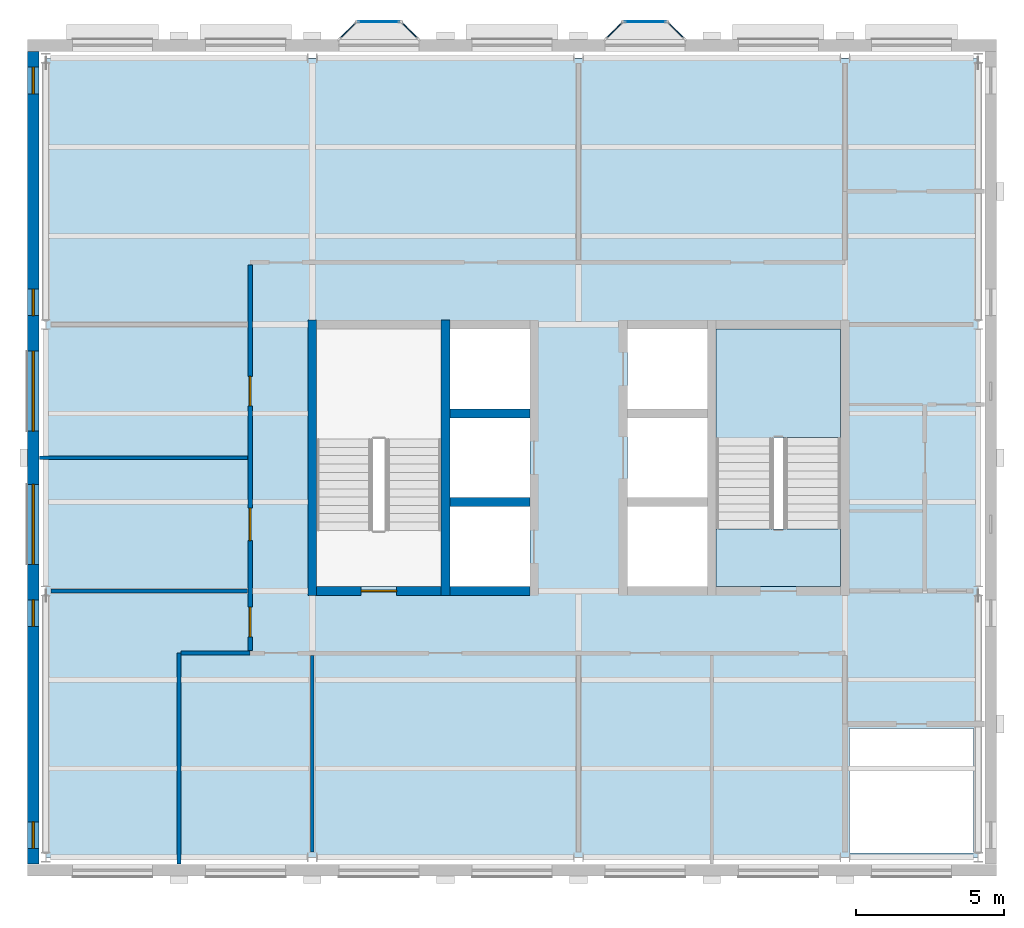
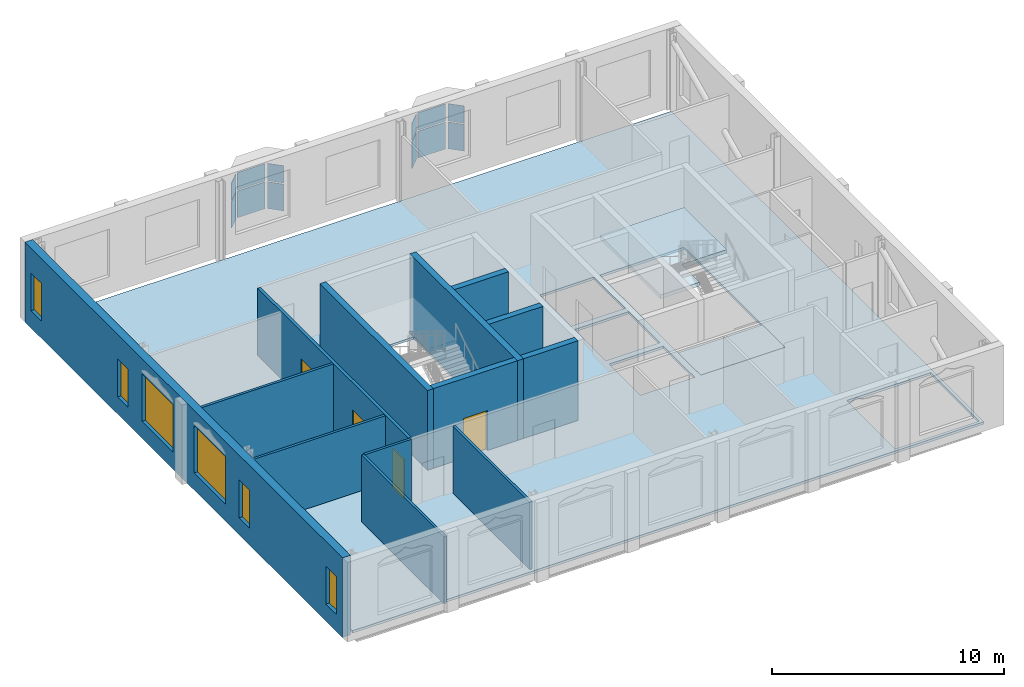
# One storey, part 3 of 9: 13 walls, 12 plates, 6 windows, 4 doors, 3 slabs, 10 openings, 7 elements without a shape of their own.
"""IFC4 building model written with IfcOpenShell, lengths in metres."""

from ifc_helpers import new_model, si_unit, direction, frame, frame_2d, origin, origin_2d, place, context, subcontext, project, spatial, polyline, rectangle, outline, extrude, material, layer, layer_set, type_object, element, fill, aggregate, save


model = new_model("IFC4")

# Units and contexts
model_context = context("Model", 3, precision=1e-05, world=origin(), true_north=direction((0.0, 1.0)))
body_context = subcontext(model_context, "Body", "Model", "MODEL_VIEW")
ifc_project = project(units=[si_unit("LENGTHUNIT", "METRE"), si_unit("AREAUNIT", "SQUARE_METRE"), si_unit("VOLUMEUNIT", "CUBIC_METRE"), si_unit("PLANEANGLEUNIT", "RADIAN"), si_unit("MASSUNIT", "GRAM", prefix="KILO")], contexts=[model_context])

# Site, building, storey
site_placement = place(None, origin())
site = spatial("IfcSite", under=ifc_project, at=site_placement, CompositionType="ELEMENT")
building_placement = place(site_placement, origin())
building = spatial("IfcBuilding", under=site, at=building_placement, Name="Hortulan Conservatory and Botanical Research Centre", CompositionType="ELEMENT")
storey_placement = place(building_placement, frame((0.0, 0.0, 40.199951171875)))
storey = spatial("IfcBuildingStorey", under=building, at=storey_placement, Name="L09", CompositionType="ELEMENT", Elevation=40.199951171875)

# Slab
ifc_material_1 = material(Name="Concrete N32 (32 MPa, AS 3600)", Category="concrete")
ifc_layer_1 = layer(ifc_material_1, 0.1298828125)
ifc_layer_set_1 = layer_set([ifc_layer_1], Name="Composite Floor Slab 130")
slab_type_1 = type_object("IfcSlabType", Name="Composite Floor Slab 130", PredefinedType="FLOOR", material=ifc_layer_set_1)
slab_1_placement = place(storey_placement, frame((0.0, 0.0, -0.1298828125)))
element("IfcSlab", 1, at=slab_1_placement, inside=storey, type_object=slab_type_1, Name="Floor slab", PredefinedType="FLOOR", context=body_context, shape_type="SweptSolid", body=[
    extrude(outline(polyline([(0.0, 0.0), (31.5, 0.0), (31.5, 27.0), (0.0, 27.0), (0.0, 0.0)]), holes=[polyline([(27.14990234375, 4.35009765625), (27.14990234375, 0.14990234375), (31.35009765625, 0.14990234375), (31.35009765625, 4.35009765625), (27.14990234375, 4.35009765625)]), polyline([(13.64990234375, 11.85009765625), (13.64990234375, 9.14990234375), (16.35009765625, 9.14990234375), (16.35009765625, 11.85009765625), (13.64990234375, 11.85009765625)]), polyline([(19.64990234375, 11.85009765625), (19.64990234375, 9.14990234375), (22.35009765625, 9.14990234375), (22.35009765625, 11.85009765625), (19.64990234375, 11.85009765625)]), polyline([(9.14990234375, 17.85009765625), (9.14990234375, 9.14990234375), (13.35009765625, 9.14990234375), (13.35009765625, 17.85009765625), (9.14990234375, 17.85009765625)]), polyline([(13.64990234375, 14.85009765625), (13.64990234375, 12.14990234375), (16.35009765625, 12.14990234375), (16.35009765625, 14.85009765625), (13.64990234375, 14.85009765625)]), polyline([(19.64990234375, 14.85009765625), (19.64990234375, 12.14990234375), (22.35009765625, 12.14990234375), (22.35009765625, 14.85009765625), (19.64990234375, 14.85009765625)]), polyline([(22.64990234375, 17.85009765625), (22.64990234375, 9.14990234375), (26.85009765625, 9.14990234375), (26.85009765625, 17.85009765625), (22.64990234375, 17.85009765625)]), polyline([(16.35009765625, 17.85009765625), (13.64990234375, 17.85009765625), (13.64990234375, 15.14990234375), (16.35009765625, 15.14990234375), (16.35009765625, 17.85009765625)]), polyline([(22.35009765625, 17.85009765625), (19.64990234375, 17.85009765625), (19.64990234375, 15.14990234375), (22.35009765625, 15.14990234375), (22.35009765625, 17.85009765625)])]), origin(), (0.0, 0.0, 1.0), 0.1298828125),
])

# Curtain wall, plates
ifc_material_2 = material(Name="Bronze-finished aluminium", Category="aluminium")
ifc_layer_2 = layer(ifc_material_2, 0.10009765625)
ifc_layer_set_2 = layer_set([ifc_layer_2], Name="Oriel Curtain Wall 1350 module")
curtain_wall_type = type_object("IfcCurtainWallType", Name="Oriel Curtain Wall 1350 module", PredefinedType="NOTDEFINED", material=ifc_layer_set_2)
curtain_wall_1_placement = place(storey_placement, origin())
curtain_wall_1 = element("IfcCurtainWall", 2, at=curtain_wall_1_placement, inside=storey, type_object=curtain_wall_type, Name="Oriel glazing", PredefinedType="NOTDEFINED")
ifc_material_3 = material(Name="Low-e laminated glass", Category="glass")
ifc_layer_3 = layer(ifc_material_3, 0.028076171875)
ifc_layer_set_3 = layer_set([ifc_layer_3], Name="Laminated Glass Panel 28")
plate_type = type_object("IfcPlateType", Name="Laminated Glass Panel 28", PredefinedType="CURTAIN_PANEL", material=ifc_layer_set_3)
plate_1_placement = place(storey_placement, frame((10.199951171875, 27.93603515625, 0.9599609375), z_axis=(0.0, 0.0, 1.0), x_axis=(0.707106781187, 0.707106781187, 0.0)))
plate_1 = element("IfcPlate", 3, at=plate_1_placement, type_object=plate_type, Name="CW2 panel 1.1", PredefinedType="CURTAIN_PANEL", context=body_context, shape_type="SweptSolid", body=[
    extrude(rectangle(XDim=0.728515625, YDim=0.028076171875, at=origin_2d()), origin(), (0.0, 0.0, 1.0), 1.409912109375),
])
plate_2_placement = place(storey_placement, frame((10.199951171875, 27.93603515625, 2.43017578125), z_axis=(0.0, 0.0, 1.0), x_axis=(0.707106781187, 0.707106781187, 0.0)))
plate_2 = element("IfcPlate", 4, at=plate_2_placement, type_object=plate_type, Name="CW2 panel 1.2", PredefinedType="CURTAIN_PANEL", context=body_context, shape_type="SweptSolid", body=[
    extrude(rectangle(XDim=0.728515625, YDim=0.028076171875, at=origin_2d()), origin(), (0.0, 0.0, 1.0), 0.909912109375),
])
aggregate(curtain_wall_1, [plate_1, plate_2])

curtain_wall_2_placement = place(storey_placement, origin())
curtain_wall_2 = element("IfcCurtainWall", 5, at=curtain_wall_2_placement, inside=storey, type_object=curtain_wall_type, Name="Oriel glazing", PredefinedType="NOTDEFINED")
plate_3_placement = place(storey_placement, frame((11.25, 28.236083984375, 0.9599609375), z_axis=(0.0, 0.0, 1.0), x_axis=(1.0, 0.0, 0.0)))
plate_3 = element("IfcPlate", 6, at=plate_3_placement, type_object=plate_type, Name="CW2 panel 1.1", PredefinedType="CURTAIN_PANEL", context=body_context, shape_type="SweptSolid", body=[
    extrude(rectangle(XDim=1.3798828125, YDim=0.028076171875, at=origin_2d()), origin(), (0.0, 0.0, 1.0), 1.409912109375),
])
plate_4_placement = place(storey_placement, frame((11.25, 28.236083984375, 2.43017578125), z_axis=(0.0, 0.0, 1.0), x_axis=(1.0, 0.0, 0.0)))
plate_4 = element("IfcPlate", 7, at=plate_4_placement, type_object=plate_type, Name="CW2 panel 1.2", PredefinedType="CURTAIN_PANEL", context=body_context, shape_type="SweptSolid", body=[
    extrude(rectangle(XDim=1.3798828125, YDim=0.028076171875, at=origin_2d()), origin(), (0.0, 0.0, 1.0), 0.909912109375),
])
aggregate(curtain_wall_2, [plate_3, plate_4])

curtain_wall_3_placement = place(storey_placement, origin())
curtain_wall_3 = element("IfcCurtainWall", 8, at=curtain_wall_3_placement, inside=storey, type_object=curtain_wall_type, Name="Oriel glazing", PredefinedType="NOTDEFINED")
plate_5_placement = place(storey_placement, frame((12.300048828125, 27.93603515625, 0.9599609375), z_axis=(0.0, 0.0, 1.0), x_axis=(0.707106781187, -0.707106781187, 0.0)))
plate_5 = element("IfcPlate", 9, at=plate_5_placement, type_object=plate_type, Name="CW2 panel 1.1", PredefinedType="CURTAIN_PANEL", context=body_context, shape_type="SweptSolid", body=[
    extrude(rectangle(XDim=0.728515625, YDim=0.028076171875, at=origin_2d()), origin(), (0.0, 0.0, 1.0), 1.409912109375),
])
plate_6_placement = place(storey_placement, frame((12.300048828125, 27.93603515625, 2.43017578125), z_axis=(0.0, 0.0, 1.0), x_axis=(0.707106781187, -0.707106781187, 0.0)))
plate_6 = element("IfcPlate", 10, at=plate_6_placement, type_object=plate_type, Name="CW2 panel 1.2", PredefinedType="CURTAIN_PANEL", context=body_context, shape_type="SweptSolid", body=[
    extrude(rectangle(XDim=0.728515625, YDim=0.028076171875, at=origin_2d()), origin(), (0.0, 0.0, 1.0), 0.909912109375),
])
aggregate(curtain_wall_3, [plate_5, plate_6])

curtain_wall_4_placement = place(storey_placement, origin())
curtain_wall_4 = element("IfcCurtainWall", 11, at=curtain_wall_4_placement, inside=storey, type_object=curtain_wall_type, Name="Oriel glazing", PredefinedType="NOTDEFINED")
plate_7_placement = place(storey_placement, frame((19.199951171875, 27.93603515625, 0.9599609375), z_axis=(0.0, 0.0, 1.0), x_axis=(0.707106781187, 0.707106781187, 0.0)))
plate_7 = element("IfcPlate", 12, at=plate_7_placement, type_object=plate_type, Name="CW2 panel 1.1", PredefinedType="CURTAIN_PANEL", context=body_context, shape_type="SweptSolid", body=[
    extrude(rectangle(XDim=0.728515625, YDim=0.028076171875, at=origin_2d()), origin(), (0.0, 0.0, 1.0), 1.409912109375),
])
plate_8_placement = place(storey_placement, frame((19.199951171875, 27.93603515625, 2.43017578125), z_axis=(0.0, 0.0, 1.0), x_axis=(0.707106781187, 0.707106781187, 0.0)))
plate_8 = element("IfcPlate", 13, at=plate_8_placement, type_object=plate_type, Name="CW2 panel 1.2", PredefinedType="CURTAIN_PANEL", context=body_context, shape_type="SweptSolid", body=[
    extrude(rectangle(XDim=0.728515625, YDim=0.028076171875, at=origin_2d()), origin(), (0.0, 0.0, 1.0), 0.909912109375),
])
aggregate(curtain_wall_4, [plate_7, plate_8])

curtain_wall_5_placement = place(storey_placement, origin())
curtain_wall_5 = element("IfcCurtainWall", 14, at=curtain_wall_5_placement, inside=storey, type_object=curtain_wall_type, Name="Oriel glazing", PredefinedType="NOTDEFINED")
plate_9_placement = place(storey_placement, frame((20.25, 28.236083984375, 0.9599609375), z_axis=(0.0, 0.0, 1.0), x_axis=(1.0, 0.0, 0.0)))
plate_9 = element("IfcPlate", 15, at=plate_9_placement, type_object=plate_type, Name="CW2 panel 1.1", PredefinedType="CURTAIN_PANEL", context=body_context, shape_type="SweptSolid", body=[
    extrude(rectangle(XDim=1.3798828125, YDim=0.028076171875, at=origin_2d()), origin(), (0.0, 0.0, 1.0), 1.409912109375),
])
plate_10_placement = place(storey_placement, frame((20.25, 28.236083984375, 2.43017578125), z_axis=(0.0, 0.0, 1.0), x_axis=(1.0, 0.0, 0.0)))
plate_10 = element("IfcPlate", 16, at=plate_10_placement, type_object=plate_type, Name="CW2 panel 1.2", PredefinedType="CURTAIN_PANEL", context=body_context, shape_type="SweptSolid", body=[
    extrude(rectangle(XDim=1.3798828125, YDim=0.028076171875, at=origin_2d()), origin(), (0.0, 0.0, 1.0), 0.909912109375),
])
aggregate(curtain_wall_5, [plate_9, plate_10])

curtain_wall_6_placement = place(storey_placement, origin())
curtain_wall_6 = element("IfcCurtainWall", 17, at=curtain_wall_6_placement, inside=storey, type_object=curtain_wall_type, Name="Oriel glazing", PredefinedType="NOTDEFINED")
plate_11_placement = place(storey_placement, frame((21.300048828125, 27.93603515625, 0.9599609375), z_axis=(0.0, 0.0, 1.0), x_axis=(0.707106781187, -0.707106781187, 0.0)))
plate_11 = element("IfcPlate", 18, at=plate_11_placement, type_object=plate_type, Name="CW2 panel 1.1", PredefinedType="CURTAIN_PANEL", context=body_context, shape_type="SweptSolid", body=[
    extrude(rectangle(XDim=0.728515625, YDim=0.028076171875, at=origin_2d()), origin(), (0.0, 0.0, 1.0), 1.409912109375),
])
plate_12_placement = place(storey_placement, frame((21.300048828125, 27.93603515625, 2.43017578125), z_axis=(0.0, 0.0, 1.0), x_axis=(0.707106781187, -0.707106781187, 0.0)))
plate_12 = element("IfcPlate", 19, at=plate_12_placement, type_object=plate_type, Name="CW2 panel 1.2", PredefinedType="CURTAIN_PANEL", context=body_context, shape_type="SweptSolid", body=[
    extrude(rectangle(XDim=0.728515625, YDim=0.028076171875, at=origin_2d()), origin(), (0.0, 0.0, 1.0), 0.909912109375),
])
aggregate(curtain_wall_6, [plate_11, plate_12])

# Stair, slab
ifc_material_4 = material(Name="Concrete N40 (40 MPa, AS 3600)", Category="concrete")
stair_type = type_object("IfcStairType", Name="Concrete Escape Stair 1950", PredefinedType="HALF_TURN_STAIR", material=ifc_material_4)
stair_placement = place(storey_placement, origin())
stair = element("IfcStair", 20, at=stair_placement, inside=storey, type_object=stair_type, Name="Stair T2 L09", PredefinedType="HALF_TURN_STAIR")
ifc_layer_4 = layer(ifc_material_4, 0.199951171875)
ifc_layer_set_4 = layer_set([ifc_layer_4], Name="Stair Landing 200")
slab_type_2 = type_object("IfcSlabType", Name="Stair Landing 200", PredefinedType="LANDING", material=ifc_layer_set_4)
slab_2_placement = place(storey_placement, frame((0.0, 0.0, 1.900146484375)))
slab_2 = element("IfcSlab", 21, at=slab_2_placement, type_object=slab_type_2, Name="Stair T2 L09 half landing 1", PredefinedType="LANDING", context=body_context, shape_type="SweptSolid", body=[
    extrude(outline(polyline([(26.85009765625, 14.179443359375), (24.60009765625, 14.179443359375), (24.60009765625, 12.639892578125), (22.64990234375, 12.639892578125), (22.64990234375, 14.179443359375), (22.64990234375, 14.179931640625), (22.64990234375, 14.18994140625), (22.64990234375, 17.85009765625), (26.85009765625, 17.85009765625), (26.85009765625, 14.18994140625), (26.85009765625, 14.179931640625), (26.85009765625, 14.179443359375)])), origin(), (0.0, 0.0, 1.0), 0.199951171875),
])
aggregate(stair, [slab_2])

# Slab
slab_3_placement = place(storey_placement, frame((0.0, 0.0, -0.199951171875)))
element("IfcSlab", 22, at=slab_3_placement, inside=storey, type_object=slab_type_2, Name="Stair T2 floor landing L09", PredefinedType="LANDING", context=body_context, shape_type="SweptSolid", body=[
    extrude(outline(polyline([(26.85009765625, 9.14990234375), (22.64990234375, 9.14990234375), (22.64990234375, 11.10009765625), (26.85009765625, 11.10009765625), (26.85009765625, 9.14990234375)])), origin(), (0.0, 0.0, 1.0), 0.199951171875),
])

# Walls
ifc_layer_5 = layer(ifc_material_4, 0.300048828125)
ifc_layer_set_5 = layer_set([ifc_layer_5], Name="Core Wall 300 N40 FRL 240/120/120")
wall_type_1 = type_object("IfcWallType", Name="Core Wall 300 N40 FRL 240/120/120", PredefinedType="SHEAR", material=ifc_layer_set_5)
for number, where, z_axis, x_axis, name in (
    (23, (9.0, 8.85009765625, 0.0), (0.0, 0.0, 1.0), (0.0, 1.0, 0.0), "Reinforced concrete shaft wall"),
    (24, (13.5, 8.85009765625, 0.0), (0.0, 0.0, 1.0), (0.0, 1.0, 0.0), "Reinforced concrete shaft wall"),
):
    element("IfcWall", number, at=place(storey_placement, frame(where, z_axis=z_axis, x_axis=x_axis)), inside=storey, type_object=wall_type_1, Name=name, PredefinedType="SHEAR", context=body_context, shape_type="SweptSolid", body=[
        extrude(rectangle(XDim=9.2998046875, YDim=0.300048828125, at=frame_2d((4.64990234375, 0.0))), origin(), (0.0, 0.0, 1.0), 4.199951171875),
    ])

# Wall, opening, door
wall_1_placement = place(storey_placement, frame((9.14990234375, 9.0, 0.0), z_axis=(0.0, 0.0, 1.0), x_axis=(1.0, 0.0, 0.0)))
wall_1 = element("IfcWall", 25, at=wall_1_placement, inside=storey, type_object=wall_type_1, Name="Reinforced concrete shaft wall", PredefinedType="SHEAR", context=body_context, shape_type="SweptSolid", body=[
    extrude(rectangle(XDim=4.2001953125, YDim=0.300048828125, at=frame_2d((2.10009765625, 0.0))), origin(), (0.0, 0.0, 1.0), 4.199951171875),
])
opening_1_placement = place(wall_1_placement, frame((1.5, 0.0, 0.0)))
opening_1 = element("IfcOpeningElement", 26, at=opening_1_placement, cuts=wall_1, Name="Opening DT5", PredefinedType="OPENING", context=body_context, shape_type="SweptSolid", body=[
    extrude(rectangle(XDim=1.199951171875, YDim=2.10009765625, at=frame_2d((0.60009765625, 1.050048828125))), frame((0.0, 0.159912109375, 0.0), z_axis=(0.0, -1.0, 0.0), x_axis=(1.0, 0.0, 0.0)), (0.0, 0.0, 1.0), 0.320068359375),
])
ifc_material_5 = material(Name="Steel door leaf, insulated", Category="steel")
door_type_1 = type_object("IfcDoorType", Name="Stair Door 1200x2100 FRL -/120/30", OperationType="NOTDEFINED", PredefinedType="DOOR", material=ifc_material_5)
door_1_placement = place(opening_1_placement, origin())
door_1 = element("IfcDoor", 27, at=door_1_placement, inside=storey, type_object=door_type_1, Name="Door DT5 Exit Stair T1", OperationType="SINGLE_SWING_RIGHT", OverallHeight=2.10009765625, OverallWidth=1.199951171875, PredefinedType="DOOR", context=body_context, shape_type="SweptSolid", body=[
    extrude(rectangle(XDim=1.199951171875, YDim=2.10009765625, at=frame_2d((0.60009765625, 1.050048828125))), frame((0.0, 0.02490234375, 0.0), z_axis=(0.0, -1.0, 0.0), x_axis=(1.0, 0.0, 0.0)), (0.0, 0.0, 1.0), 0.050048828125),
])
fill(opening_1, door_1)

# Walls
for number, where, z_axis, x_axis, name in (
    (28, (13.64990234375, 9.0, 0.0), (0.0, 0.0, 1.0), (1.0, 0.0, 0.0), "Reinforced concrete shaft wall"),
    (29, (13.64990234375, 12.0, 0.0), (0.0, 0.0, 1.0), (1.0, 0.0, 0.0), "Reinforced concrete shaft wall"),
    (30, (13.64990234375, 15.0, 0.0), (0.0, 0.0, 1.0), (1.0, 0.0, 0.0), "Reinforced concrete shaft wall"),
):
    element("IfcWall", number, at=place(storey_placement, frame(where, z_axis=z_axis, x_axis=x_axis)), inside=storey, type_object=wall_type_1, Name=name, PredefinedType="SHEAR", context=body_context, shape_type="SweptSolid", body=[
        extrude(rectangle(XDim=2.7001953125, YDim=0.300048828125, at=frame_2d((1.35009765625, 0.0))), origin(), (0.0, 0.0, 1.0), 4.199951171875),
    ])

# Wall, openings, doors
ifc_material_6 = material(Name="Plasterboard on steel studs", Category="steel")
ifc_layer_6 = layer(ifc_material_6, 0.14990234375)
ifc_layer_set_6 = layer_set([ifc_layer_6], Name="Corridor Partition 150")
wall_type_2 = type_object("IfcWallType", Name="Corridor Partition 150", PredefinedType="PARTITIONING", material=ifc_layer_set_6)
wall_2_placement = place(storey_placement, frame((6.89990234375, 6.985107421875, 0.0), z_axis=(0.0, 0.0, 1.0), x_axis=(0.0, 1.0, 0.0)))
wall_2 = element("IfcWall", 31, at=wall_2_placement, inside=storey, type_object=wall_type_2, Name="Corridor partition", PredefinedType="PARTITIONING", context=body_context, shape_type="SweptSolid", body=[
    extrude(rectangle(XDim=13.02978515625, YDim=0.14990234375, at=frame_2d((6.514892578125, 0.0))), origin(), (0.0, 0.0, 1.0), 3.537109375),
])
opening_2_placement = place(wall_2_placement, frame((0.465087890625, 0.0, 0.0)))
opening_2 = element("IfcOpeningElement", 32, at=opening_2_placement, cuts=wall_2, Name="Opening DT1", PredefinedType="OPENING", context=body_context, shape_type="SweptSolid", body=[
    extrude(rectangle(XDim=1.0, YDim=2.10009765625, at=frame_2d((0.5, 1.050048828125))), frame((0.0, 0.0849609375, 0.0), z_axis=(0.0, -1.0, 0.0), x_axis=(1.0, 0.0, 0.0)), (0.0, 0.0, 1.0), 0.169921875),
])
opening_3_placement = place(wall_2_placement, frame((3.715087890625, 0.0, 0.0)))
opening_3 = element("IfcOpeningElement", 33, at=opening_3_placement, cuts=wall_2, Name="Opening DT3", PredefinedType="OPENING", context=body_context, shape_type="SweptSolid", body=[
    extrude(rectangle(XDim=1.10009765625, YDim=2.10009765625, at=frame_2d((0.550048828125, 1.050048828125))), frame((0.0, 0.0849609375, 0.0), z_axis=(0.0, -1.0, 0.0), x_axis=(1.0, 0.0, 0.0)), (0.0, 0.0, 1.0), 0.169921875),
])
opening_4_placement = place(wall_2_placement, frame((8.264892578125, 0.0, 0.0)))
opening_4 = element("IfcOpeningElement", 34, at=opening_4_placement, cuts=wall_2, Name="Opening DT1", PredefinedType="OPENING", context=body_context, shape_type="SweptSolid", body=[
    extrude(rectangle(XDim=1.0, YDim=2.10009765625, at=frame_2d((0.5, 1.050048828125))), frame((0.0, 0.0849609375, 0.0), z_axis=(0.0, -1.0, 0.0), x_axis=(1.0, 0.0, 0.0)), (0.0, 0.0, 1.0), 0.169921875),
])
ifc_material_7 = material(Name="Timber door leaf with vision panel", Category="wood")
door_type_2 = type_object("IfcDoorType", Name="Laboratory Door 1100x2100", OperationType="NOTDEFINED", PredefinedType="DOOR", material=ifc_material_7)
door_2_placement = place(opening_3_placement, origin())
door_2 = element("IfcDoor", 35, at=door_2_placement, inside=storey, type_object=door_type_2, Name="Door DT3 Laboratory Write-up Office", OperationType="SINGLE_SWING_LEFT", OverallHeight=2.10009765625, OverallWidth=1.10009765625, PredefinedType="DOOR", context=body_context, shape_type="SweptSolid", body=[
    extrude(rectangle(XDim=1.10009765625, YDim=2.10009765625, at=frame_2d((0.550048828125, 1.050048828125))), frame((0.0, 0.02490234375, 0.0), z_axis=(0.0, -1.0, 0.0), x_axis=(1.0, 0.0, 0.0)), (0.0, 0.0, 1.0), 0.050048828125),
])
fill(opening_3, door_2)
ifc_material_8 = material(Name="Timber door leaf in timber frame", Category="wood")
door_type_3 = type_object("IfcDoorType", Name="Single Door 1000x2100", OperationType="NOTDEFINED", PredefinedType="DOOR", material=ifc_material_8)
door_3_placement = place(opening_2_placement, origin())
door_3 = element("IfcDoor", 36, at=door_3_placement, inside=storey, type_object=door_type_3, Name="Door DT1 Equipment Store", OperationType="SINGLE_SWING_LEFT", OverallHeight=2.10009765625, OverallWidth=1.0, PredefinedType="DOOR", context=body_context, shape_type="SweptSolid", body=[
    extrude(rectangle(XDim=1.0, YDim=2.10009765625, at=frame_2d((0.5, 1.050048828125))), frame((0.0, 0.02490234375, 0.0), z_axis=(0.0, -1.0, 0.0), x_axis=(1.0, 0.0, 0.0)), (0.0, 0.0, 1.0), 0.050048828125),
])
fill(opening_2, door_3)
door_4_placement = place(opening_4_placement, origin())
door_4 = element("IfcDoor", 37, at=door_4_placement, inside=storey, type_object=door_type_3, Name="Door DT1 Instrument Room", OperationType="SINGLE_SWING_RIGHT", OverallHeight=2.10009765625, OverallWidth=1.0, PredefinedType="DOOR", context=body_context, shape_type="SweptSolid", body=[
    extrude(rectangle(XDim=1.0, YDim=2.10009765625, at=frame_2d((0.5, 1.050048828125))), frame((0.0, 0.02490234375, 0.0), z_axis=(0.0, -1.0, 0.0), x_axis=(1.0, 0.0, 0.0)), (0.0, 0.0, 1.0), 0.050048828125),
])
fill(opening_4, door_4)

# Wall, openings, windows
ifc_material_9 = material(Name="Faience-faced brickwork masonry", Category="masonry")
ifc_layer_7 = layer(ifc_material_9, 0.39990234375)
ifc_layer_set_7 = layer_set([ifc_layer_7], Name="Faience-faced Masonry Cavity Wall 400")
wall_type_3 = type_object("IfcWallType", Name="Faience-faced Masonry Cavity Wall 400", PredefinedType="STANDARD", material=ifc_layer_set_7)
wall_3_placement = place(storey_placement, frame((-0.425048828125, -0.22509765625, 0.0), z_axis=(0.0, 0.0, 1.0), x_axis=(0.0, 1.0, 0.0)))
wall_3 = element("IfcWall", 38, at=wall_3_placement, inside=storey, type_object=wall_type_3, Name="E-EW-TW-L09-W2", PredefinedType="STANDARD", context=body_context, shape_type="SweptSolid", body=[
    extrude(rectangle(XDim=27.4501953125, YDim=0.39990234375, at=frame_2d((13.72509765625, 0.0))), origin(), (0.0, 0.0, 1.0), 4.199951171875),
])
opening_5_placement = place(wall_3_placement, frame((0.52490234375, 0.0, 0.89990234375)))
opening_5 = element("IfcOpeningElement", 39, at=opening_5_placement, cuts=wall_3, Name="Opening W5", PredefinedType="OPENING", context=body_context, shape_type="SweptSolid", body=[
    extrude(rectangle(XDim=0.89990234375, YDim=2.0, at=frame_2d((0.449951171875, 1.0))), frame((0.0, 0.2099609375, 0.0), z_axis=(0.0, -1.0, 0.0), x_axis=(1.0, 0.0, 0.0)), (0.0, 0.0, 1.0), 0.419921875),
])
opening_6_placement = place(wall_3_placement, frame((8.02490234375, 0.0, 0.89990234375)))
opening_6 = element("IfcOpeningElement", 40, at=opening_6_placement, cuts=wall_3, Name="Opening W5", PredefinedType="OPENING", context=body_context, shape_type="SweptSolid", body=[
    extrude(rectangle(XDim=0.89990234375, YDim=2.0, at=frame_2d((0.449951171875, 1.0))), frame((0.0, 0.2099609375, 0.0), z_axis=(0.0, -1.0, 0.0), x_axis=(1.0, 0.0, 0.0)), (0.0, 0.0, 1.0), 0.419921875),
])
opening_7_placement = place(wall_3_placement, frame((10.125, 0.0, 0.89990234375)))
opening_7 = element("IfcOpeningElement", 41, at=opening_7_placement, cuts=wall_3, Name="Opening W4", PredefinedType="OPENING", context=body_context, shape_type="SweptSolid", body=[
    extrude(rectangle(XDim=2.699951171875, YDim=2.5, at=frame_2d((1.35009765625, 1.25))), frame((0.0, 0.2099609375, 0.0), z_axis=(0.0, -1.0, 0.0), x_axis=(1.0, 0.0, 0.0)), (0.0, 0.0, 1.0), 0.419921875),
])
opening_8_placement = place(wall_3_placement, frame((14.625, 0.0, 0.89990234375)))
opening_8 = element("IfcOpeningElement", 42, at=opening_8_placement, cuts=wall_3, Name="Opening W4", PredefinedType="OPENING", context=body_context, shape_type="SweptSolid", body=[
    extrude(rectangle(XDim=2.699951171875, YDim=2.5, at=frame_2d((1.35009765625, 1.25))), frame((0.0, 0.2099609375, 0.0), z_axis=(0.0, -1.0, 0.0), x_axis=(1.0, 0.0, 0.0)), (0.0, 0.0, 1.0), 0.419921875),
])
opening_9_placement = place(wall_3_placement, frame((18.52490234375, 0.0, 0.89990234375)))
opening_9 = element("IfcOpeningElement", 43, at=opening_9_placement, cuts=wall_3, Name="Opening W5", PredefinedType="OPENING", context=body_context, shape_type="SweptSolid", body=[
    extrude(rectangle(XDim=0.89990234375, YDim=2.0, at=frame_2d((0.449951171875, 1.0))), frame((0.0, 0.2099609375, 0.0), z_axis=(0.0, -1.0, 0.0), x_axis=(1.0, 0.0, 0.0)), (0.0, 0.0, 1.0), 0.419921875),
])
opening_10_placement = place(wall_3_placement, frame((26.02490234375, 0.0, 0.89990234375)))
opening_10 = element("IfcOpeningElement", 44, at=opening_10_placement, cuts=wall_3, Name="Opening W5", PredefinedType="OPENING", context=body_context, shape_type="SweptSolid", body=[
    extrude(rectangle(XDim=0.89990234375, YDim=2.0, at=frame_2d((0.449951171875, 1.0))), frame((0.0, 0.2099609375, 0.0), z_axis=(0.0, -1.0, 0.0), x_axis=(1.0, 0.0, 0.0)), (0.0, 0.0, 1.0), 0.419921875),
])
ifc_material_10 = material(Name="Bronze-finished aluminium frame with low-e laminated double glazing", Category="aluminium")
window_type_1 = type_object("IfcWindowType", Name="Faience Pier Window 900x2000", PartitioningType="SINGLE_PANEL", PredefinedType="WINDOW", material=ifc_material_10)
window_1_placement = place(opening_5_placement, origin())
window_1 = element("IfcWindow", 45, at=window_1_placement, inside=storey, type_object=window_type_1, Name="Faience Pier window", OverallHeight=2.0, OverallWidth=0.89990234375, PartitioningType="SINGLE_PANEL", PredefinedType="WINDOW", context=body_context, shape_type="SweptSolid", body=[
    extrude(rectangle(XDim=0.89990234375, YDim=2.0, at=frame_2d((0.449951171875, 1.0))), frame((0.0, 0.030029296875, 0.0), z_axis=(0.0, -1.0, 0.0), x_axis=(1.0, 0.0, 0.0)), (0.0, 0.0, 1.0), 0.06005859375),
])
fill(opening_5, window_1)
window_2_placement = place(opening_6_placement, origin())
window_2 = element("IfcWindow", 46, at=window_2_placement, inside=storey, type_object=window_type_1, Name="Faience Pier window", OverallHeight=2.0, OverallWidth=0.89990234375, PartitioningType="SINGLE_PANEL", PredefinedType="WINDOW", context=body_context, shape_type="SweptSolid", body=[
    extrude(rectangle(XDim=0.89990234375, YDim=2.0, at=frame_2d((0.449951171875, 1.0))), frame((0.0, 0.030029296875, 0.0), z_axis=(0.0, -1.0, 0.0), x_axis=(1.0, 0.0, 0.0)), (0.0, 0.0, 1.0), 0.06005859375),
])
fill(opening_6, window_2)
window_3_placement = place(opening_9_placement, origin())
window_3 = element("IfcWindow", 47, at=window_3_placement, inside=storey, type_object=window_type_1, Name="Faience Pier window", OverallHeight=2.0, OverallWidth=0.89990234375, PartitioningType="SINGLE_PANEL", PredefinedType="WINDOW", context=body_context, shape_type="SweptSolid", body=[
    extrude(rectangle(XDim=0.89990234375, YDim=2.0, at=frame_2d((0.449951171875, 1.0))), frame((0.0, 0.030029296875, 0.0), z_axis=(0.0, -1.0, 0.0), x_axis=(1.0, 0.0, 0.0)), (0.0, 0.0, 1.0), 0.06005859375),
])
fill(opening_9, window_3)
window_4_placement = place(opening_10_placement, origin())
window_4 = element("IfcWindow", 48, at=window_4_placement, inside=storey, type_object=window_type_1, Name="Faience Pier window", OverallHeight=2.0, OverallWidth=0.89990234375, PartitioningType="SINGLE_PANEL", PredefinedType="WINDOW", context=body_context, shape_type="SweptSolid", body=[
    extrude(rectangle(XDim=0.89990234375, YDim=2.0, at=frame_2d((0.449951171875, 1.0))), frame((0.0, 0.030029296875, 0.0), z_axis=(0.0, -1.0, 0.0), x_axis=(1.0, 0.0, 0.0)), (0.0, 0.0, 1.0), 0.06005859375),
])
fill(opening_10, window_4)
window_type_2 = type_object("IfcWindowType", Name="Faience Window 2700x2500", PartitioningType="SINGLE_PANEL", PredefinedType="WINDOW", material=ifc_material_10)
window_5_placement = place(opening_7_placement, origin())
window_5 = element("IfcWindow", 49, at=window_5_placement, inside=storey, type_object=window_type_2, Name="Faience window", OverallHeight=2.5, OverallWidth=2.699951171875, PartitioningType="SINGLE_PANEL", PredefinedType="WINDOW", context=body_context, shape_type="SweptSolid", body=[
    extrude(rectangle(XDim=2.699951171875, YDim=2.5, at=frame_2d((1.35009765625, 1.25))), frame((0.0, 0.030029296875, 0.0), z_axis=(0.0, -1.0, 0.0), x_axis=(1.0, 0.0, 0.0)), (0.0, 0.0, 1.0), 0.06005859375),
])
fill(opening_7, window_5)
window_6_placement = place(opening_8_placement, origin())
window_6 = element("IfcWindow", 50, at=window_6_placement, inside=storey, type_object=window_type_2, Name="Faience window", OverallHeight=2.5, OverallWidth=2.699951171875, PartitioningType="SINGLE_PANEL", PredefinedType="WINDOW", context=body_context, shape_type="SweptSolid", body=[
    extrude(rectangle(XDim=2.699951171875, YDim=2.5, at=frame_2d((1.35009765625, 1.25))), frame((0.0, 0.030029296875, 0.0), z_axis=(0.0, -1.0, 0.0), x_axis=(1.0, 0.0, 0.0)), (0.0, 0.0, 1.0), 0.06005859375),
])
fill(opening_8, window_6)

# Walls
ifc_layer_8 = layer(ifc_material_6, 0.125)
ifc_layer_set_8 = layer_set([ifc_layer_8], Name="Partition 125")
wall_type_4 = type_object("IfcWallType", Name="Partition 125", PredefinedType="PARTITIONING", material=ifc_layer_set_8)
wall_4_placement = place(storey_placement, frame((4.5, -0.22607421875, 0.0), z_axis=(0.0, 0.0, 1.0), x_axis=(0.0, 1.0, 0.0)))
element("IfcWall", 51, at=wall_4_placement, inside=storey, type_object=wall_type_4, Name="Partition", PredefinedType="PARTITIONING", context=body_context, shape_type="SweptSolid", body=[
    extrude(rectangle(XDim=7.1259765625, YDim=0.125, at=frame_2d((3.56298828125, 0.0))), origin(), (0.0, 0.0, 1.0), 3.537109375),
])
wall_5_placement = place(storey_placement, frame((9.0, 0.173583984375, 0.0), z_axis=(0.0, 0.0, 1.0), x_axis=(0.0, 1.0, 0.0)))
element("IfcWall", 52, at=wall_5_placement, inside=storey, type_object=wall_type_4, Name="Partition", PredefinedType="PARTITIONING", context=body_context, shape_type="SweptSolid", body=[
    extrude(rectangle(XDim=6.641357421875, YDim=0.125, at=frame_2d((3.32080078125, 0.0))), origin(), (0.0, 0.0, 1.0), 3.537109375),
])
wall_6_placement = place(storey_placement, frame((4.572509765625, 6.89990234375, 0.0), z_axis=(0.0, 0.0, 1.0), x_axis=(1.0, 0.0, 0.0)))
element("IfcWall", 53, at=wall_6_placement, inside=storey, type_object=wall_type_4, Name="Partition", PredefinedType="PARTITIONING", context=body_context, shape_type="SweptSolid", body=[
    extrude(rectangle(XDim=2.3173828125, YDim=0.125, at=frame_2d((1.15869140625, 0.0))), origin(), (0.0, 0.0, 1.0), 3.537109375),
])
wall_7_placement = place(storey_placement, frame((0.16552734375, 9.0, 0.0), z_axis=(0.0, 0.0, 1.0), x_axis=(1.0, 0.0, 0.0)))
element("IfcWall", 54, at=wall_7_placement, inside=storey, type_object=wall_type_4, Name="Partition", PredefinedType="PARTITIONING", context=body_context, shape_type="SweptSolid", body=[
    extrude(rectangle(XDim=6.6494140625, YDim=0.125, at=frame_2d((3.32470703125, 0.0))), origin(), (0.0, 0.0, 1.0), 3.537109375),
])
wall_8_placement = place(storey_placement, frame((-0.215087890625, 13.5, 0.0), z_axis=(0.0, 0.0, 1.0), x_axis=(1.0, 0.0, 0.0)))
element("IfcWall", 55, at=wall_8_placement, inside=storey, type_object=wall_type_4, Name="Partition", PredefinedType="PARTITIONING", context=body_context, shape_type="SweptSolid", body=[
    extrude(rectangle(XDim=7.030029296875, YDim=0.125, at=frame_2d((3.51513671875, 0.0))), origin(), (0.0, 0.0, 1.0), 3.537109375),
])

save(model, "model.ifc")
